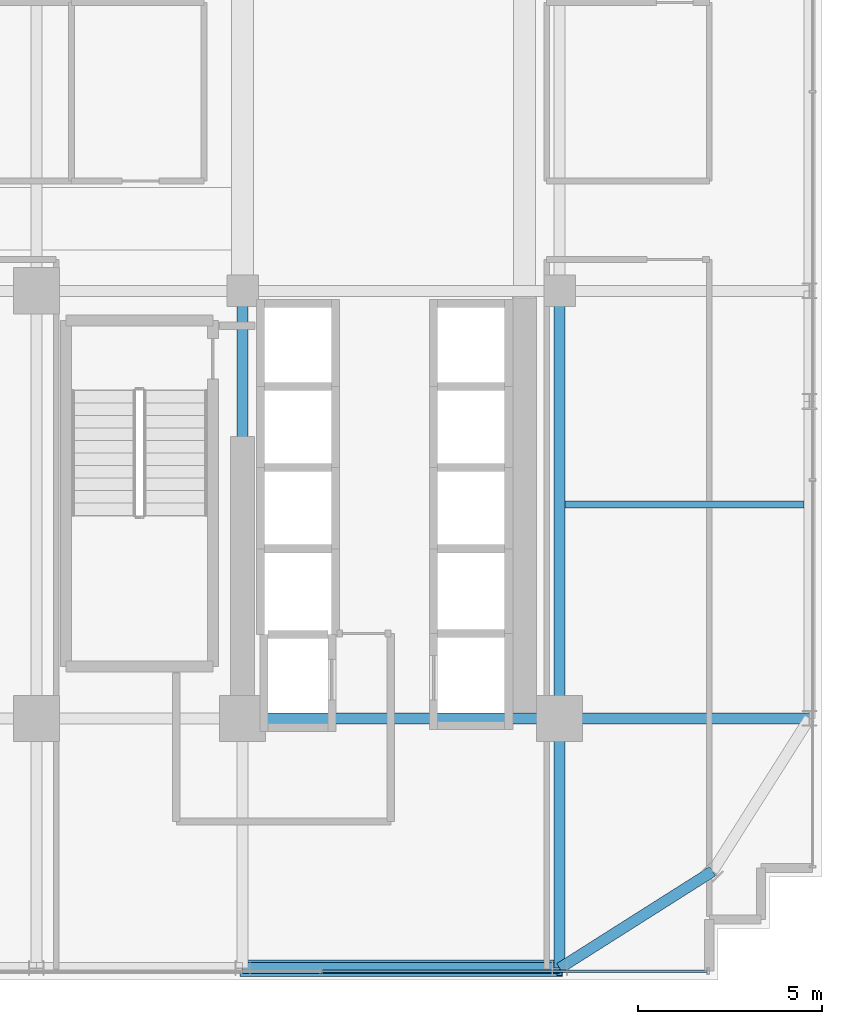
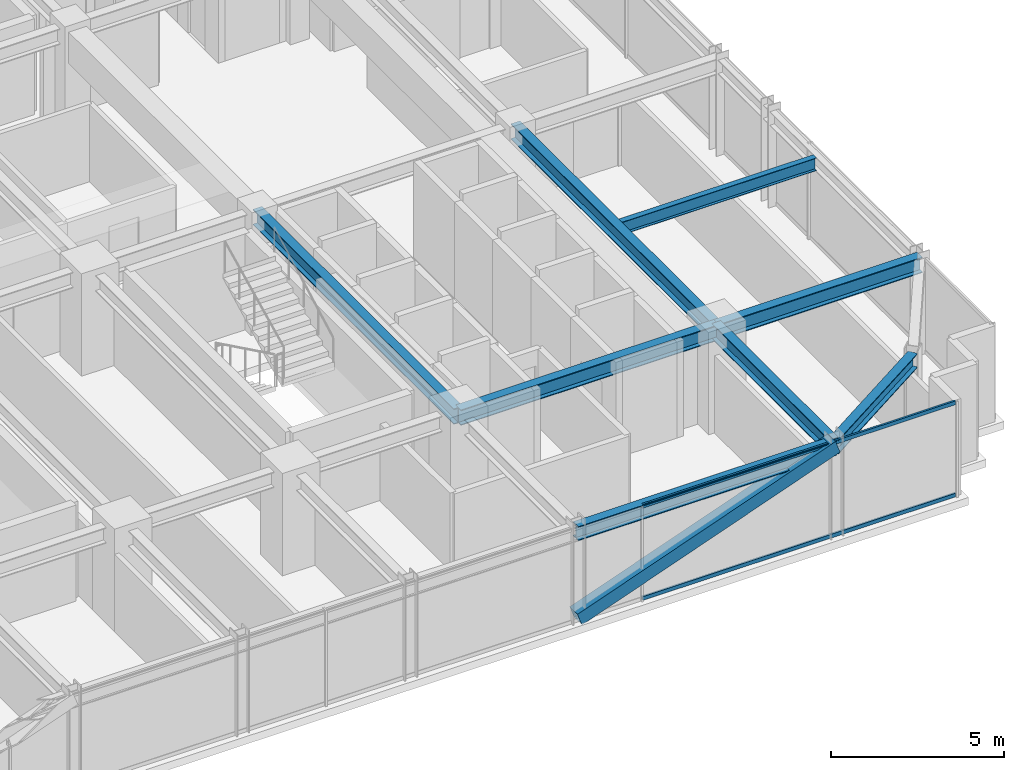
# One storey, part 11 of 35: 8 beams, 3 members, 1 element without a shape of its own.
"""IFC4 building model written with IfcOpenShell, lengths in metres."""

from ifc_helpers import new_model, si_unit, direction, frame, origin, origin_2d, place, context, subcontext, project, spatial, hollow_rectangle, i_section, extrude, source, transform, mapped, material, material_profile, profile_set, type_object, element, aggregate, save


model = new_model("IFC4")

# Units and contexts
model_context = context("Model", 3, precision=1e-05, world=origin(), true_north=direction((0.0, 1.0)))
body_context = subcontext(model_context, "Body", "Model", "MODEL_VIEW")
ifc_project = project(units=[si_unit("LENGTHUNIT", "METRE"), si_unit("AREAUNIT", "SQUARE_METRE"), si_unit("VOLUMEUNIT", "CUBIC_METRE"), si_unit("PLANEANGLEUNIT", "RADIAN"), si_unit("MASSUNIT", "GRAM", prefix="KILO")], contexts=[model_context])

# Site, building, storey
site_placement = place(None, origin())
site = spatial("IfcSite", under=ifc_project, at=site_placement, CompositionType="ELEMENT")
building_placement = place(site_placement, origin())
building = spatial("IfcBuilding", under=site, at=building_placement, Name="Nahalor Promenade Grand Hotel", CompositionType="ELEMENT")
storey_placement = place(building_placement, frame((0.0, 0.0, 106.550048828125)))
storey = spatial("IfcBuildingStorey", under=building, at=storey_placement, Name="L26", CompositionType="ELEMENT", Elevation=106.550048828125)

# Beams
ifc_material_1 = material(Name="Steel S355JR", Category="steel")
ifc_material_profile_1 = material_profile(ifc_material_1, i_section(OverallWidth=0.3, OverallDepth=0.5, WebThickness=0.0145, FlangeThickness=0.028, at=origin_2d()), Name="HEB 500")
ifc_profile_set_1 = profile_set([ifc_material_profile_1], Name="Steel S355JR")
beam_type_1 = type_object("IfcBeamType", Name="Beam-Spandrel-HEB500", PredefinedType="SPANDREL", material=ifc_profile_set_1)
shared_shape_1 = source(origin(), body_context, "Body", "SweptSolid", [
    extrude(i_section(OverallWidth=0.3, OverallDepth=0.5, WebThickness=0.0145, FlangeThickness=0.028, at=origin_2d()), origin(), (0.0, 0.0, 1.0), 8.60009765625),
])
beam_1_placement = place(storey_placement, frame((8.39990234375, -23.780029296875, 3.1298828125), z_axis=(1.0, 0.0, 0.0), x_axis=(0.0, 1.0, 0.0)))
element("IfcBeam", 1, at=beam_1_placement, inside=storey, type_object=beam_type_1, Name="BM-L26-SP-S-4", PredefinedType="SPANDREL", context=body_context, shape_type="MappedRepresentation", body=[
    mapped(shared_shape_1, transform((0.0, 0.0, 0.0), scale=1.0)),
])
shared_shape_2 = source(origin(), body_context, "Body", "SweptSolid", [
    extrude(i_section(OverallWidth=0.3, OverallDepth=0.5, WebThickness=0.0145, FlangeThickness=0.028, at=origin_2d()), origin(), (0.0, 0.0, 1.0), 4.9130859375),
])
beam_2_placement = place(storey_placement, frame((17.0, -23.780029296875, 3.1298828125), z_axis=(0.844648325505, 0.535321591403, 0.0), x_axis=(-0.535321591403, 0.844648325505, 0.0)))
element("IfcBeam", 2, at=beam_2_placement, inside=storey, type_object=beam_type_1, Name="BM-L26-SPC-SE-1", PredefinedType="SPANDREL", context=body_context, shape_type="MappedRepresentation", body=[
    mapped(shared_shape_2, transform((0.0, 0.0, 0.0), scale=1.0)),
])
ifc_material_profile_2 = material_profile(ifc_material_1, i_section(OverallWidth=0.3, OverallDepth=0.55, WebThickness=0.015, FlangeThickness=0.029, at=origin_2d()), Name="HEB 550")
ifc_profile_set_2 = profile_set([ifc_material_profile_2], Name="Steel S355JR")
beam_type_2 = type_object("IfcBeamType", Name="Beam-Girder-HEB550", PredefinedType="BEAM", material=ifc_profile_set_2)
shared_shape_3 = source(origin(), body_context, "Body", "SweptSolid", [
    extrude(i_section(OverallWidth=0.3, OverallDepth=0.55, WebThickness=0.015, FlangeThickness=0.029, at=origin_2d()), origin(), (0.0, 0.0, 1.0), 6.780029296875),
])
for number, where, z_axis, x_axis, name in (
    (3, (17.0, -17.0, 3.10498046875), (1.0, 0.0, 0.0), (0.0, 1.0, 0.0), "BM-L26-GX-0-6"),
    (4, (17.0, -23.780029296875, 3.10498046875), (0.0, 1.0, 0.0), (-1.0, 0.0, 0.0), "BM-L26-GY-5-0"),
):
    element("IfcBeam", number, at=place(storey_placement, frame(where, z_axis=z_axis, x_axis=x_axis)), inside=storey, type_object=beam_type_2, Name=name, PredefinedType="BEAM", context=body_context, shape_type="MappedRepresentation", body=[
        mapped(shared_shape_3, transform((0.0, 0.0, 0.0), scale=1.0)),
    ])
shared_shape_4 = source(origin(), body_context, "Body", "SweptSolid", [
    extrude(i_section(OverallWidth=0.3, OverallDepth=0.55, WebThickness=0.015, FlangeThickness=0.029, at=origin_2d()), origin(), (0.0, 0.0, 1.0), 8.60009765625),
])
beam_3_placement = place(storey_placement, frame((8.39990234375, -17.0, 3.10498046875), z_axis=(1.0, 0.0, 0.0), x_axis=(0.0, 1.0, 0.0)))
element("IfcBeam", 5, at=beam_3_placement, inside=storey, type_object=beam_type_2, Name="BM-L26-GX-0-5", PredefinedType="BEAM", context=body_context, shape_type="MappedRepresentation", body=[
    mapped(shared_shape_4, transform((0.0, 0.0, 0.0), scale=1.0)),
])
shared_shape_5 = source(origin(), body_context, "Body", "SweptSolid", [
    extrude(i_section(OverallWidth=0.3, OverallDepth=0.55, WebThickness=0.015, FlangeThickness=0.029, at=origin_2d()), origin(), (0.0, 0.0, 1.0), 11.60009765625),
])
for number, where, z_axis, x_axis, name in (
    (6, (8.39990234375, -17.0, 3.10498046875), (0.0, 1.0, 0.0), (-1.0, 0.0, 0.0), "BM-L26-GY-4-1"),
    (7, (17.0, -17.0, 3.10498046875), (0.0, 1.0, 0.0), (-1.0, 0.0, 0.0), "BM-L26-GY-5-1"),
):
    element("IfcBeam", number, at=place(storey_placement, frame(where, z_axis=z_axis, x_axis=x_axis)), inside=storey, type_object=beam_type_2, Name=name, PredefinedType="BEAM", context=body_context, shape_type="MappedRepresentation", body=[
        mapped(shared_shape_5, transform((0.0, 0.0, 0.0), scale=1.0)),
    ])
ifc_material_profile_3 = material_profile(ifc_material_1, i_section(OverallWidth=0.19, OverallDepth=0.45, WebThickness=0.0094, FlangeThickness=0.0146, at=origin_2d()), Name="IPE 450")
ifc_profile_set_3 = profile_set([ifc_material_profile_3], Name="Steel S355JR")
beam_type_3 = type_object("IfcBeamType", Name="Beam-Joist-IPE450", PredefinedType="JOIST", material=ifc_profile_set_3)
shared_shape_6 = source(origin(), body_context, "Body", "SweptSolid", [
    extrude(i_section(OverallWidth=0.19, OverallDepth=0.45, WebThickness=0.0094, FlangeThickness=0.0146, at=origin_2d()), origin(), (0.0, 0.0, 1.0), 6.47998046875),
])
beam_4_placement = place(storey_placement, frame((17.14990234375, -11.199951171875, 3.155029296875), z_axis=(1.0, 0.0, 0.0), x_axis=(0.0, 1.0, 0.0)))
element("IfcBeam", 8, at=beam_4_placement, inside=storey, type_object=beam_type_3, Name="BM-L26-JSE-0-2", PredefinedType="JOIST", context=body_context, shape_type="MappedRepresentation", body=[
    mapped(shared_shape_6, transform((0.0, 0.0, 0.0), scale=1.0)),
])

# Member
ifc_material_2 = material(Name="Steel S355J2", Category="steel")
ifc_material_profile_4 = material_profile(ifc_material_2, hollow_rectangle(XDim=0.45, YDim=0.45, WallThickness=0.025, at=origin_2d()), Name="SHS 450x450x25")
ifc_profile_set_4 = profile_set([ifc_material_profile_4], Name="Steel S355J2")
member_type_1 = type_object("IfcMemberType", Name="Mem-ExoBrace-SHS450", PredefinedType="BRACE", material=ifc_profile_set_4)
shared_shape_7 = source(origin(), body_context, "Body", "SweptSolid", [
    extrude(hollow_rectangle(XDim=0.45, YDim=0.45, WallThickness=0.025, at=origin_2d()), origin(), (0.0, 0.0, 1.0), 9.135009765625),
])
member_1_placement = place(storey_placement, frame((8.39990234375, -23.780029296875, 0.14990234375), z_axis=(0.941442840152, 0.0, 0.337172624521), x_axis=(0.0, 1.0, 0.0)))
element("IfcMember", 9, at=member_1_placement, inside=storey, type_object=member_type_1, Name="EXO-L26-S-1", PredefinedType="BRACE", context=body_context, shape_type="MappedRepresentation", body=[
    mapped(shared_shape_7, transform((0.0, 0.0, 0.0), scale=1.0)),
])

# Curtain wall, members
ifc_material_3 = material(Name="Anodised Bronze Aluminium EN AW-6063 T6", Category="aluminium")
curtain_wall_type = type_object("IfcCurtainWallType", Name="CW2 Typical Hotel Flush Bronze Unitised Curtain Wall", PredefinedType="USERDEFINED", material=ifc_material_3)
curtain_wall_placement = place(storey_placement, origin())
curtain_wall = element("IfcCurtainWall", 10, at=curtain_wall_placement, inside=storey, type_object=curtain_wall_type, Name="L26 Curtain Wall CW-L26-S-1", ObjectType="UNITISED_CURTAIN_WALL", PredefinedType="USERDEFINED")
ifc_material_profile_5 = material_profile(ifc_material_3, hollow_rectangle(XDim=0.065, YDim=0.13, WallThickness=0.004, at=origin_2d()), Name="CWT 65x130x4")
ifc_profile_set_5 = profile_set([ifc_material_profile_5], Name="Anodised Bronze Aluminium EN AW-6063 T6")
member_type_2 = type_object("IfcMemberType", Name="CWT2 Typical Bronze Transom 65x130", PredefinedType="USERDEFINED", material=ifc_profile_set_5)
shared_shape_8 = source(origin(), body_context, "Body", "SweptSolid", [
    extrude(hollow_rectangle(XDim=0.065, YDim=0.13, WallThickness=0.004, at=origin_2d()), origin(), (0.0, 0.0, 1.0), 10.4326171875),
])
member_2_placement = place(storey_placement, frame((10.5625, -23.860107421875, 0.06494140625), z_axis=(1.0, 0.0, 0.0), x_axis=(0.0, 1.0, 0.0)))
member_2 = element("IfcMember", 11, at=member_2_placement, type_object=member_type_2, Name="CW-L26-S-1 Transom 3-0", ObjectType="TRANSOM", PredefinedType="USERDEFINED", context=body_context, shape_type="MappedRepresentation", body=[
    mapped(shared_shape_8, transform((0.0, 0.0, 0.0), scale=1.0)),
])
member_3_placement = place(storey_placement, frame((10.5625, -23.860107421875, 3.31494140625), z_axis=(1.0, 0.0, 0.0), x_axis=(0.0, 1.0, 0.0)))
member_3 = element("IfcMember", 12, at=member_3_placement, type_object=member_type_2, Name="CW-L26-S-1 Transom 3-1", ObjectType="TRANSOM", PredefinedType="USERDEFINED", context=body_context, shape_type="MappedRepresentation", body=[
    mapped(shared_shape_8, transform((0.0, 0.0, 0.0), scale=1.0)),
])
aggregate(curtain_wall, [member_2, member_3])

save(model, "model.ifc")
